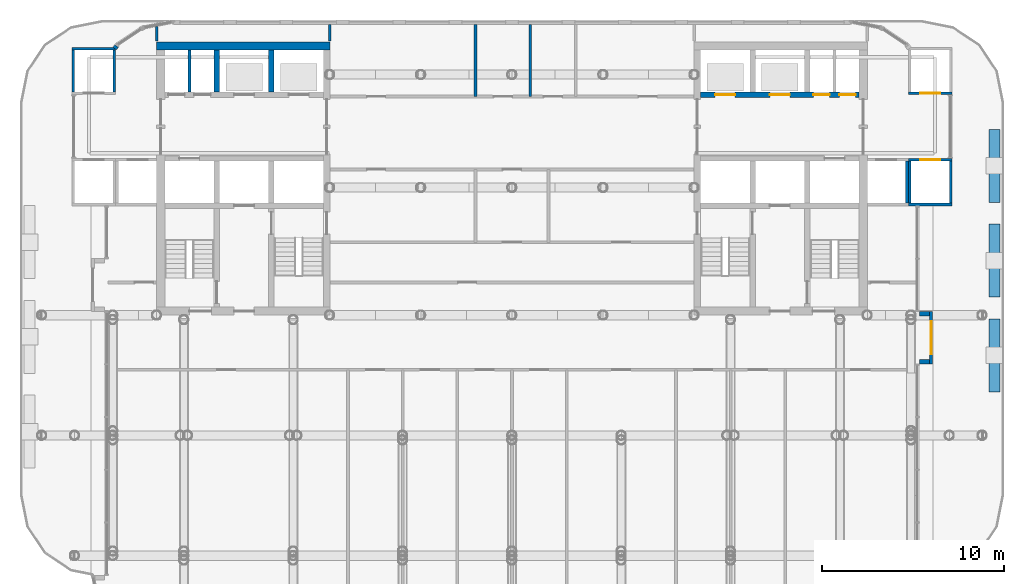
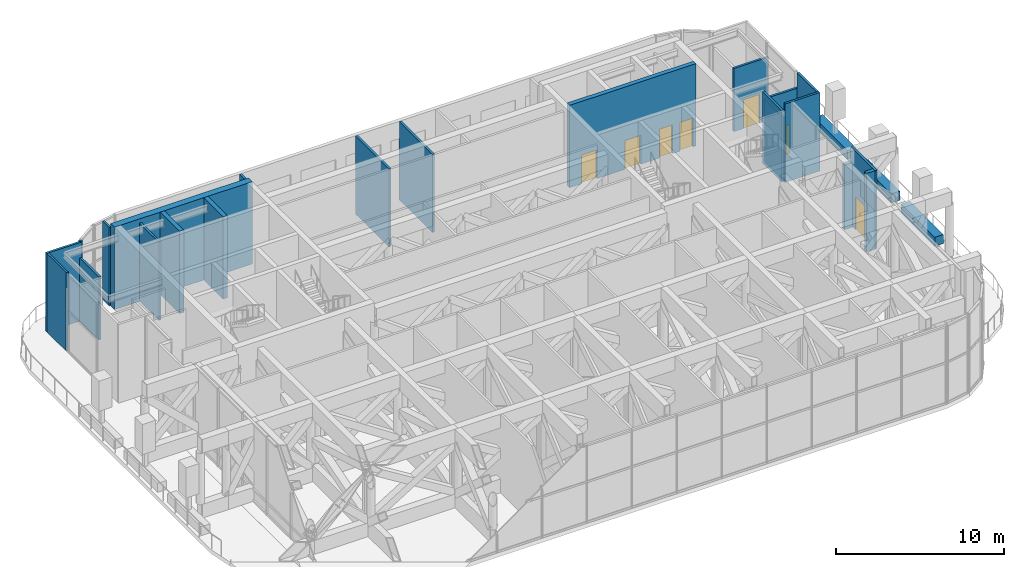
# One storey, part 15 of 21: 25 walls, 7 doors, 7 openings.
"""IFC4 building model written with IfcOpenShell, lengths in metres."""

from ifc_helpers import new_model, si_unit, direction, frame, frame_2d, origin, place, context, subcontext, project, spatial, rectangle, extrude, material, layer, layer_set, type_object, element, fill, save


model = new_model("IFC4")

# Units and contexts
model_context = context("Model", 3, precision=1e-05, world=origin(), true_north=direction((0.0, 1.0)))
body_context = subcontext(model_context, "Body", "Model", "MODEL_VIEW")
ifc_project = project(units=[si_unit("LENGTHUNIT", "METRE"), si_unit("AREAUNIT", "SQUARE_METRE"), si_unit("VOLUMEUNIT", "CUBIC_METRE"), si_unit("PLANEANGLEUNIT", "RADIAN"), si_unit("MASSUNIT", "GRAM", prefix="KILO")], contexts=[model_context])

# Site, building, storey
site_placement = place(None, origin())
site = spatial("IfcSite", under=ifc_project, at=site_placement, CompositionType="ELEMENT")
building_placement = place(site_placement, origin())
building = spatial("IfcBuilding", under=site, at=building_placement, Name="Torana Hotel and Residences", CompositionType="ELEMENT")
storey_placement = place(building_placement, frame((0.0, 0.0, 246.60009765625)))
storey = spatial("IfcBuildingStorey", under=building, at=storey_placement, Name="L65", CompositionType="ELEMENT", Elevation=246.60009765625)

# Walls
ifc_material_1 = material(Name="Concrete C60/75", Category="concrete")
ifc_layer_1 = layer(ifc_material_1, 0.300048828125)
ifc_layer_set_1 = layer_set([ifc_layer_1], Name="CORE WALL 300 C60/75")
wall_type_1 = type_object("IfcWallType", Name="CORE WALL 300 C60/75", PredefinedType="SHEAR", material=ifc_layer_set_1)
for number, where, z_axis, x_axis, name in (
    (1, (-13.199951171875, -2.75, 0.0), (0.0, 0.0, 1.0), (0.0, 1.0, 0.0), "Core wall W x3.05-N"),
    (2, (-16.199951171875, -2.75, 0.0), (0.0, 0.0, 1.0), (0.0, 1.0, 0.0), "Core wall W x6.05-N"),
):
    element("IfcWall", number, at=place(storey_placement, frame(where, z_axis=z_axis, x_axis=x_axis)), inside=storey, type_object=wall_type_1, Name=name, PredefinedType="SHEAR", context=body_context, shape_type="SweptSolid", body=[
        extrude(rectangle(XDim=2.300048828125, YDim=0.300048828125, at=frame_2d((1.14990234375, 0.0))), origin(), (0.0, 0.0, 1.0), 6.0),
    ])

# Wall, openings, doors
wall_1_placement = place(storey_placement, frame((10.35009765625, -2.89990234375, 0.0), z_axis=(0.0, 0.0, 1.0), x_axis=(1.0, 0.0, 0.0)))
wall_1 = element("IfcWall", 3, at=wall_1_placement, inside=storey, type_object=wall_type_1, Name="Core wall E row-N", PredefinedType="SHEAR", context=body_context, shape_type="SweptSolid", body=[
    extrude(rectangle(XDim=8.699951171875, YDim=0.300048828125, at=frame_2d((4.35009765625, 0.0))), origin(), (0.0, 0.0, 1.0), 6.0),
])
opening_1_placement = place(wall_1_placement, frame((0.800048828125, 0.0, 0.0)))
opening_1 = element("IfcOpeningElement", 4, at=opening_1_placement, cuts=wall_1, Name="Opening LD", PredefinedType="OPENING", context=body_context, shape_type="SweptSolid", body=[
    extrude(rectangle(XDim=1.10009765625, YDim=2.10009765625, at=frame_2d((0.550048828125, 1.050048828125))), frame((0.0, 0.159912109375, 0.0), z_axis=(0.0, -1.0, 0.0), x_axis=(1.0, 0.0, 0.0)), (0.0, 0.0, 1.0), 0.320068359375),
])
opening_2_placement = place(wall_1_placement, frame((3.800048828125, 0.0, 0.0)))
opening_2 = element("IfcOpeningElement", 5, at=opening_2_placement, cuts=wall_1, Name="Opening LD", PredefinedType="OPENING", context=body_context, shape_type="SweptSolid", body=[
    extrude(rectangle(XDim=1.10009765625, YDim=2.10009765625, at=frame_2d((0.550048828125, 1.050048828125))), frame((0.0, 0.159912109375, 0.0), z_axis=(0.0, -1.0, 0.0), x_axis=(1.0, 0.0, 0.0)), (0.0, 0.0, 1.0), 0.320068359375),
])
opening_3_placement = place(wall_1_placement, frame((6.1875, 0.0, 0.0)))
opening_3 = element("IfcOpeningElement", 6, at=opening_3_placement, cuts=wall_1, Name="Opening L65-19", PredefinedType="OPENING", context=body_context, shape_type="SweptSolid", body=[
    extrude(rectangle(XDim=0.89990234375, YDim=2.10009765625, at=frame_2d((0.449951171875, 1.050048828125))), frame((0.0, 0.159912109375, 0.0), z_axis=(0.0, -1.0, 0.0), x_axis=(1.0, 0.0, 0.0)), (0.0, 0.0, 1.0), 0.320068359375),
])
opening_4_placement = place(wall_1_placement, frame((7.612548828125, 0.0, 0.0)))
opening_4 = element("IfcOpeningElement", 7, at=opening_4_placement, cuts=wall_1, Name="Opening L65-20", PredefinedType="OPENING", context=body_context, shape_type="SweptSolid", body=[
    extrude(rectangle(XDim=0.89990234375, YDim=2.10009765625, at=frame_2d((0.449951171875, 1.050048828125))), frame((0.0, 0.159912109375, 0.0), z_axis=(0.0, -1.0, 0.0), x_axis=(1.0, 0.0, 0.0)), (0.0, 0.0, 1.0), 0.320068359375),
])
ifc_material_2 = material(Name="Stainless steel 316", Category="steel")
door_type_1 = type_object("IfcDoorType", Name="LIFT LANDING DOOR LD 1100x2100", OperationType="DOUBLE_DOOR_SLIDING", PredefinedType="USERDEFINED", material=ifc_material_2)
door_1_placement = place(opening_1_placement, origin())
door_1 = element("IfcDoor", 8, at=door_1_placement, inside=storey, type_object=door_type_1, Name="Lift landing door H3 L65", ObjectType="LIFT LANDING DOOR", OperationType="DOUBLE_DOOR_SLIDING", OverallHeight=2.10009765625, OverallWidth=1.10009765625, PredefinedType="USERDEFINED", context=body_context, shape_type="SweptSolid", body=[
    extrude(rectangle(XDim=1.10009765625, YDim=2.10009765625, at=frame_2d((0.550048828125, 1.050048828125))), frame((0.0, 0.02490234375, 0.0), z_axis=(0.0, -1.0, 0.0), x_axis=(1.0, 0.0, 0.0)), (0.0, 0.0, 1.0), 0.050048828125),
])
fill(opening_1, door_1)
door_2_placement = place(opening_2_placement, origin())
door_2 = element("IfcDoor", 9, at=door_2_placement, inside=storey, type_object=door_type_1, Name="Lift landing door H4 L65", ObjectType="LIFT LANDING DOOR", OperationType="DOUBLE_DOOR_SLIDING", OverallHeight=2.10009765625, OverallWidth=1.10009765625, PredefinedType="USERDEFINED", context=body_context, shape_type="SweptSolid", body=[
    extrude(rectangle(XDim=1.10009765625, YDim=2.10009765625, at=frame_2d((0.550048828125, 1.050048828125))), frame((0.0, 0.02490234375, 0.0), z_axis=(0.0, -1.0, 0.0), x_axis=(1.0, 0.0, 0.0)), (0.0, 0.0, 1.0), 0.050048828125),
])
fill(opening_2, door_2)
ifc_material_3 = material(Name="Steel S235", Category="steel")
door_type_2 = type_object("IfcDoorType", Name="RISER ACCESS DOOR D5 900x2100", OperationType="SINGLE_SWING_LEFT", PredefinedType="DOOR", material=ifc_material_3)
door_3_placement = place(opening_3_placement, origin())
door_3 = element("IfcDoor", 10, at=door_3_placement, inside=storey, type_object=door_type_2, Name="N2A door L65", OperationType="SINGLE_SWING_RIGHT", OverallHeight=2.10009765625, OverallWidth=0.89990234375, PredefinedType="DOOR", context=body_context, shape_type="SweptSolid", body=[
    extrude(rectangle(XDim=0.89990234375, YDim=2.10009765625, at=frame_2d((0.449951171875, 1.050048828125))), frame((0.0, 0.02490234375, 0.0), z_axis=(0.0, -1.0, 0.0), x_axis=(1.0, 0.0, 0.0)), (0.0, 0.0, 1.0), 0.050048828125),
])
fill(opening_3, door_3)
door_4_placement = place(opening_4_placement, origin())
door_4 = element("IfcDoor", 11, at=door_4_placement, inside=storey, type_object=door_type_2, Name="N2B door L65", OperationType="SINGLE_SWING_RIGHT", OverallHeight=2.10009765625, OverallWidth=0.89990234375, PredefinedType="DOOR", context=body_context, shape_type="SweptSolid", body=[
    extrude(rectangle(XDim=0.89990234375, YDim=2.10009765625, at=frame_2d((0.449951171875, 1.050048828125))), frame((0.0, 0.02490234375, 0.0), z_axis=(0.0, -1.0, 0.0), x_axis=(1.0, 0.0, 0.0)), (0.0, 0.0, 1.0), 0.050048828125),
])
fill(opening_4, door_4)

# Walls
ifc_material_4 = material(Name="Concrete C60/75", Category="concrete")
ifc_layer_2 = layer(ifc_material_4, 0.449951171875)
ifc_layer_set_2 = layer_set([ifc_layer_2], Name="CORE WALL 450 C60/75")
wall_type_2 = type_object("IfcWallType", Name="CORE WALL 450 C60/75", PredefinedType="SHEAR", material=ifc_layer_set_2)
wall_2_placement = place(storey_placement, frame((-19.5, -0.22509765625, 0.0), z_axis=(0.0, 0.0, 1.0), x_axis=(1.0, 0.0, 0.0)))
element("IfcWall", 12, at=wall_2_placement, inside=storey, type_object=wall_type_2, Name="Core wall W rear", PredefinedType="SHEAR", context=body_context, shape_type="SweptSolid", body=[
    extrude(rectangle(XDim=9.5, YDim=0.449951171875, at=frame_2d((4.75, 0.0))), origin(), (0.0, 0.0, 1.0), 6.0),
])
ifc_material_5 = material(Name="Black aluminium composite panel", Category="aluminium")
ifc_layer_3 = layer(ifc_material_5, 0.00390625, Name="Cladding", Category="cladding")
ifc_material_6 = material(Name="Ventilated air cavity")
ifc_layer_4 = layer(ifc_material_6, 0.0400390625, Name="Ventilated cavity", Category="cavity")
ifc_material_7 = material(Name="Mineral wool insulation")
ifc_layer_5 = layer(ifc_material_7, 0.090087890625, Name="Insulation", Category="insulation")
ifc_material_8 = material(Name="Steel S280GD", Category="steel")
ifc_layer_6 = layer(ifc_material_8, 0.092041015625, Name="Steel stud frame", Category="structure")
ifc_material_9 = material(Name="Fire rated plasterboard")
ifc_layer_7 = layer(ifc_material_9, 0.011962890625, Name="Inner board", Category="finish")
ifc_layer_8 = layer(ifc_material_9, 0.011962890625, Name="Second board", Category="finish")
ifc_layer_set_3 = layer_set([ifc_layer_3, ifc_layer_4, ifc_layer_5, ifc_layer_6, ifc_layer_7, ifc_layer_8], Name="EW1 EXTERNAL WALL BLACK METAL CLAD 250")
wall_type_3 = type_object("IfcWallType", Name="EW1 EXTERNAL WALL BLACK METAL CLAD 250", PredefinedType="SOLIDWALL", material=ifc_layer_set_3)
wall_3_placement = place(storey_placement, frame((22.35498046875, -17.564453125, 0.0), z_axis=(0.0, 0.0, 1.0), x_axis=(1.0, 0.0, 0.0)))
element("IfcWall", 13, at=wall_3_placement, inside=storey, type_object=wall_type_3, Name="External wall L65 e0.14.4 bay return 1", PredefinedType="SOLIDWALL", context=body_context, shape_type="SweptSolid", body=[
    extrude(rectangle(XDim=0.570068359375, YDim=0.25, at=frame_2d((0.28515625, 0.0))), origin(), (0.0, 0.0, 1.0), 5.719970703125),
])
wall_4_placement = place(storey_placement, frame((22.35498046875, -14.91796875, 0.0), z_axis=(0.0, 0.0, 1.0), x_axis=(1.0, 0.0, 0.0)))
element("IfcWall", 14, at=wall_4_placement, inside=storey, type_object=wall_type_3, Name="External wall L65 e0.14.4 bay return 2", PredefinedType="SOLIDWALL", context=body_context, shape_type="SweptSolid", body=[
    extrude(rectangle(XDim=0.570068359375, YDim=0.25, at=frame_2d((0.28515625, 0.0))), origin(), (0.0, 0.0, 1.0), 4.719970703125),
])
ifc_material_10 = material(Name="Aluminium louvre wall", Category="aluminium")
ifc_layer_9 = layer(ifc_material_10, 0.25)
ifc_layer_set_4 = layer_set([ifc_layer_9], Name="EW3 LOUVRE WALL 250")
wall_type_4 = type_object("IfcWallType", Name="EW3 LOUVRE WALL 250", PredefinedType="SOLIDWALL", material=ifc_layer_set_4)
wall_5_placement = place(storey_placement, frame((-21.705810546875, -0.228759765625, 0.0), z_axis=(0.0, 0.0, 1.0), x_axis=(-0.555699055242, -0.831383521609, 0.0)))
element("IfcWall", 15, at=wall_5_placement, inside=storey, type_object=wall_type_4, Name="Louvre wall L65 e0.0", PredefinedType="SOLIDWALL", context=body_context, shape_type="SweptSolid", body=[
    extrude(rectangle(XDim=0.169189453125, YDim=0.25, at=frame_2d((0.08447265625, 0.0))), origin(), (0.0, 0.0, 1.0), 5.719970703125),
])
ifc_material_11 = material(Name="Gypsum plaster")
ifc_layer_10 = layer(ifc_material_11, 0.014892578125, Name="Plaster", Category="finish")
ifc_material_12 = material(Name="Concrete blockwork", Category="masonry")
ifc_layer_11 = layer(ifc_material_12, 0.1201171875, Name="Blockwork", Category="structure")
ifc_layer_12 = layer(ifc_material_11, 0.014892578125, Name="Plaster", Category="finish")
ifc_layer_set_5 = layer_set([ifc_layer_10, ifc_layer_11, ifc_layer_12], Name="FIRE PARTITION 150 BLOCKWORK")
wall_type_5 = type_object("IfcWallType", Name="FIRE PARTITION 150 BLOCKWORK", PredefinedType="PARTITIONING", material=ifc_layer_set_5)
wall_6_placement = place(storey_placement, frame((-17.699951171875, -2.75, 0.0), z_axis=(0.0, 0.0, 1.0), x_axis=(0.0, 1.0, 0.0)))
element("IfcWall", 16, at=wall_6_placement, inside=storey, type_object=wall_type_5, Name="Core partition L65", PredefinedType="PARTITIONING", context=body_context, shape_type="SweptSolid", body=[
    extrude(rectangle(XDim=2.300048828125, YDim=0.14990234375, at=frame_2d((1.14990234375, 0.0))), origin(), (0.0, 0.0, 1.0), 5.699951171875),
])
wall_7_placement = place(storey_placement, frame((-19.5, 0.050048828125, 0.0), z_axis=(0.0, 0.0, 1.0), x_axis=(0.0, 1.0, 0.0)))
element("IfcWall", 17, at=wall_7_placement, inside=storey, type_object=wall_type_5, Name="Partition L65", PredefinedType="PARTITIONING", context=body_context, shape_type="SweptSolid", body=[
    extrude(rectangle(XDim=0.787353515625, YDim=0.14990234375, at=frame_2d((0.3935546875, 0.0))), origin(), (0.0, 0.0, 1.0), 5.699951171875),
])

# Wall, opening, door
ifc_material_13 = material(Name="Dark glass screen in aluminium frame", Category="aluminium")
ifc_layer_13 = layer(ifc_material_13, 0.14990234375)
ifc_layer_set_6 = layer_set([ifc_layer_13], Name="GS1 GLAZED DOOR SCREEN 150")
wall_type_6 = type_object("IfcWallType", Name="GS1 GLAZED DOOR SCREEN 150", PredefinedType="USERDEFINED", material=ifc_layer_set_6)
wall_8_placement = place(storey_placement, frame((23.0, -17.689453125, 0.0), z_axis=(0.0, 0.0, 1.0), x_axis=(0.0, 1.0, 0.0)))
wall_8 = element("IfcWall", 18, at=wall_8_placement, inside=storey, type_object=wall_type_6, Name="Glazed door screen L65", ObjectType="GLAZED SCREEN", PredefinedType="USERDEFINED", context=body_context, shape_type="SweptSolid", body=[
    extrude(rectangle(XDim=2.896484375, YDim=0.14990234375, at=frame_2d((1.4482421875, 0.0))), origin(), (0.0, 0.0, 1.0), 5.719970703125),
])
opening_5_placement = place(wall_8_placement, frame((0.548095703125, 0.0, 0.0)))
opening_5 = element("IfcOpeningElement", 19, at=opening_5_placement, cuts=wall_8, Name="Opening L65-E02", PredefinedType="OPENING", context=body_context, shape_type="SweptSolid", body=[
    extrude(rectangle(XDim=1.800048828125, YDim=2.39990234375, at=frame_2d((0.89990234375, 1.199951171875))), frame((0.0, 0.0849609375, 0.0), z_axis=(0.0, -1.0, 0.0), x_axis=(1.0, 0.0, 0.0)), (0.0, 0.0, 1.0), 0.169921875),
])
ifc_material_14 = material(Name="Dark glass in black aluminium frame", Category="aluminium")
door_type_3 = type_object("IfcDoorType", Name="DE2 TERRACE DOOR 1800x2400", OperationType="DOUBLE_DOOR_SINGLE_SWING", PredefinedType="DOOR", material=ifc_material_14)
door_5_placement = place(opening_5_placement, origin())
door_5 = element("IfcDoor", 20, at=door_5_placement, inside=storey, type_object=door_type_3, Name="Terrace door L65", OperationType="DOUBLE_DOOR_SINGLE_SWING", OverallHeight=2.39990234375, OverallWidth=1.800048828125, PredefinedType="DOOR", context=body_context, shape_type="SweptSolid", body=[
    extrude(rectangle(XDim=1.800048828125, YDim=2.39990234375, at=frame_2d((0.89990234375, 1.199951171875))), frame((0.0, 0.02490234375, 0.0), z_axis=(0.0, -1.0, 0.0), x_axis=(1.0, 0.0, 0.0)), (0.0, 0.0, 1.0), 0.050048828125),
])
fill(opening_5, door_5)

# Walls
ifc_material_15 = material(Name="Concrete C40/50", Category="concrete")
ifc_layer_14 = layer(ifc_material_15, 0.14990234375)
ifc_layer_set_7 = layer_set([ifc_layer_14], Name="LIFT SHAFT WALL 150")
wall_type_7 = type_object("IfcWallType", Name="LIFT SHAFT WALL 150", PredefinedType="PARTITIONING", material=ifc_layer_set_7)
wall_9_placement = place(storey_placement, frame((-24.14990234375, -0.375, 0.0), z_axis=(0.0, 0.0, 1.0), x_axis=(1.0, 0.0, 0.0)))
element("IfcWall", 21, at=wall_9_placement, inside=storey, type_object=wall_type_7, Name="Lift shaft wall M1 L65", PredefinedType="PARTITIONING", context=body_context, shape_type="SweptSolid", body=[
    extrude(rectangle(XDim=2.39990234375, YDim=0.14990234375, at=frame_2d((1.199951171875, 0.0))), origin(), (0.0, 0.0, 1.0), 5.719970703125),
])
wall_10_placement = place(storey_placement, frame((-24.074951171875, -2.75, 0.0), z_axis=(0.0, 0.0, 1.0), x_axis=(0.0, 1.0, 0.0)))
element("IfcWall", 22, at=wall_10_placement, inside=storey, type_object=wall_type_7, Name="Lift shaft wall M1 L65", PredefinedType="PARTITIONING", context=body_context, shape_type="SweptSolid", body=[
    extrude(rectangle(XDim=2.300048828125, YDim=0.14990234375, at=frame_2d((1.14990234375, 0.0))), origin(), (0.0, 0.0, 1.0), 5.719970703125),
])
wall_11_placement = place(storey_placement, frame((-21.824951171875, -2.75, 0.0), z_axis=(0.0, 0.0, 1.0), x_axis=(0.0, 1.0, 0.0)))
element("IfcWall", 23, at=wall_11_placement, inside=storey, type_object=wall_type_7, Name="Lift shaft wall M1 L65", PredefinedType="PARTITIONING", context=body_context, shape_type="SweptSolid", body=[
    extrude(rectangle(XDim=2.300048828125, YDim=0.14990234375, at=frame_2d((1.14990234375, 0.0))), origin(), (0.0, 0.0, 1.0), 4.599853515625),
])
wall_12_placement = place(storey_placement, frame((21.675048828125, -8.85009765625, 0.0), z_axis=(0.0, 0.0, 1.0), x_axis=(0.0, 1.0, 0.0)))
element("IfcWall", 24, at=wall_12_placement, inside=storey, type_object=wall_type_7, Name="Lift shaft wall S4 L65", PredefinedType="PARTITIONING", context=body_context, shape_type="SweptSolid", body=[
    extrude(rectangle(XDim=2.300048828125, YDim=0.14990234375, at=frame_2d((1.14990234375, 0.0))), origin(), (0.0, 0.0, 1.0), 5.199951171875),
])

# Wall, opening, door
wall_13_placement = place(storey_placement, frame((21.75, -2.824951171875, 0.0), z_axis=(0.0, 0.0, 1.0), x_axis=(1.0, 0.0, 0.0)))
wall_13 = element("IfcWall", 25, at=wall_13_placement, inside=storey, type_object=wall_type_7, Name="Lift shaft wall M3 L65", PredefinedType="PARTITIONING", context=body_context, shape_type="SweptSolid", body=[
    extrude(rectangle(XDim=2.39990234375, YDim=0.14990234375, at=frame_2d((1.199951171875, 0.0))), origin(), (0.0, 0.0, 1.0), 4.599853515625),
])
opening_6_placement = place(wall_13_placement, frame((0.64990234375, 0.0, 0.0)))
opening_6 = element("IfcOpeningElement", 26, at=opening_6_placement, cuts=wall_13, Name="Opening LD", PredefinedType="OPENING", context=body_context, shape_type="SweptSolid", body=[
    extrude(rectangle(XDim=1.10009765625, YDim=2.10009765625, at=frame_2d((0.550048828125, 1.050048828125))), frame((0.0, 0.0849609375, 0.0), z_axis=(0.0, -1.0, 0.0), x_axis=(1.0, 0.0, 0.0)), (0.0, 0.0, 1.0), 0.169921875),
])
door_6_placement = place(opening_6_placement, origin())
door_6 = element("IfcDoor", 27, at=door_6_placement, inside=storey, type_object=door_type_1, Name="Lift landing door M3 L65", ObjectType="LIFT LANDING DOOR", OperationType="DOUBLE_DOOR_SLIDING", OverallHeight=2.10009765625, OverallWidth=1.10009765625, PredefinedType="USERDEFINED", context=body_context, shape_type="SweptSolid", body=[
    extrude(rectangle(XDim=1.10009765625, YDim=2.10009765625, at=frame_2d((0.550048828125, 1.050048828125))), frame((0.0, 0.02490234375, 0.0), z_axis=(0.0, -1.0, 0.0), x_axis=(1.0, 0.0, 0.0)), (0.0, 0.0, 1.0), 0.050048828125),
])
fill(opening_6, door_6)

# Wall
wall_14_placement = place(storey_placement, frame((21.75, -8.925048828125, 0.0), z_axis=(0.0, 0.0, 1.0), x_axis=(1.0, 0.0, 0.0)))
element("IfcWall", 28, at=wall_14_placement, inside=storey, type_object=wall_type_7, Name="Lift shaft wall M4 L65", PredefinedType="PARTITIONING", context=body_context, shape_type="SweptSolid", body=[
    extrude(rectangle(XDim=2.39990234375, YDim=0.14990234375, at=frame_2d((1.199951171875, 0.0))), origin(), (0.0, 0.0, 1.0), 5.719970703125),
])

# Wall, opening, door
wall_15_placement = place(storey_placement, frame((21.75, -6.47509765625, 0.0), z_axis=(0.0, 0.0, 1.0), x_axis=(1.0, 0.0, 0.0)))
wall_15 = element("IfcWall", 29, at=wall_15_placement, inside=storey, type_object=wall_type_7, Name="Lift shaft wall M4 L65", PredefinedType="PARTITIONING", context=body_context, shape_type="SweptSolid", body=[
    extrude(rectangle(XDim=2.39990234375, YDim=0.14990234375, at=frame_2d((1.199951171875, 0.0))), origin(), (0.0, 0.0, 1.0), 4.599853515625),
])
opening_7_placement = place(wall_15_placement, frame((0.64990234375, 0.0, 0.0)))
opening_7 = element("IfcOpeningElement", 30, at=opening_7_placement, cuts=wall_15, Name="Opening LD", PredefinedType="OPENING", context=body_context, shape_type="SweptSolid", body=[
    extrude(rectangle(XDim=1.10009765625, YDim=2.10009765625, at=frame_2d((0.550048828125, 1.050048828125))), frame((0.0, 0.0849609375, 0.0), z_axis=(0.0, -1.0, 0.0), x_axis=(1.0, 0.0, 0.0)), (0.0, 0.0, 1.0), 0.169921875),
])
door_7_placement = place(opening_7_placement, origin())
door_7 = element("IfcDoor", 31, at=door_7_placement, inside=storey, type_object=door_type_1, Name="Lift landing door M4 L65", ObjectType="LIFT LANDING DOOR", OperationType="DOUBLE_DOOR_SLIDING", OverallHeight=2.10009765625, OverallWidth=1.10009765625, PredefinedType="USERDEFINED", context=body_context, shape_type="SweptSolid", body=[
    extrude(rectangle(XDim=1.10009765625, YDim=2.10009765625, at=frame_2d((0.550048828125, 1.050048828125))), frame((0.0, 0.02490234375, 0.0), z_axis=(0.0, -1.0, 0.0), x_axis=(1.0, 0.0, 0.0)), (0.0, 0.0, 1.0), 0.050048828125),
])
fill(opening_7, door_7)

# Walls
wall_16_placement = place(storey_placement, frame((21.824951171875, -8.85009765625, 0.0), z_axis=(0.0, 0.0, 1.0), x_axis=(0.0, 1.0, 0.0)))
element("IfcWall", 32, at=wall_16_placement, inside=storey, type_object=wall_type_7, Name="Lift shaft wall M4 L65", PredefinedType="PARTITIONING", context=body_context, shape_type="SweptSolid", body=[
    extrude(rectangle(XDim=2.300048828125, YDim=0.14990234375, at=frame_2d((1.14990234375, 0.0))), origin(), (0.0, 0.0, 1.0), 4.599853515625),
])
wall_17_placement = place(storey_placement, frame((24.074951171875, -8.85009765625, 0.0), z_axis=(0.0, 0.0, 1.0), x_axis=(0.0, 1.0, 0.0)))
element("IfcWall", 33, at=wall_17_placement, inside=storey, type_object=wall_type_7, Name="Lift shaft wall M4 L65", PredefinedType="PARTITIONING", context=body_context, shape_type="SweptSolid", body=[
    extrude(rectangle(XDim=2.300048828125, YDim=0.14990234375, at=frame_2d((1.14990234375, 0.0))), origin(), (0.0, 0.0, 1.0), 5.719970703125),
])
ifc_material_16 = material(Name="Gypsum plasterboard")
ifc_layer_15 = layer(ifc_material_16, 0.012451171875, Name="Plasterboard", Category="finish")
ifc_layer_16 = layer(ifc_material_16, 0.012451171875, Name="Plasterboard", Category="finish")
ifc_layer_17 = layer(ifc_material_8, 0.10009765625, Name="Steel studs with mineral wool", Category="insulation")
ifc_layer_18 = layer(ifc_material_16, 0.012451171875, Name="Plasterboard", Category="finish")
ifc_layer_19 = layer(ifc_material_16, 0.012451171875, Name="Plasterboard", Category="finish")
ifc_layer_set_8 = layer_set([ifc_layer_15, ifc_layer_16, ifc_layer_17, ifc_layer_18, ifc_layer_19], Name="PARTITION 150 PLASTERBOARD")
wall_type_8 = type_object("IfcWallType", Name="PARTITION 150 PLASTERBOARD", PredefinedType="PARTITIONING", material=ifc_layer_set_8)
wall_18_placement = place(storey_placement, frame((-10.0, 0.050048828125, 0.0), z_axis=(0.0, 0.0, 1.0), x_axis=(0.0, 1.0, 0.0)))
element("IfcWall", 34, at=wall_18_placement, inside=storey, type_object=wall_type_8, Name="Partition L65", PredefinedType="PARTITIONING", context=body_context, shape_type="SweptSolid", body=[
    extrude(rectangle(XDim=0.909912109375, YDim=0.14990234375, at=frame_2d((0.455078125, 0.0))), origin(), (0.0, 0.0, 1.0), 5.699951171875),
])
ifc_material_17 = material(Name="Concrete C40/50 precast", Category="concrete")
ifc_layer_20 = layer(ifc_material_17, 0.10009765625, Name="Planter shell", Category="structure")
ifc_material_18 = material(Name="Root resistant membrane")
ifc_layer_21 = layer(ifc_material_18, 0.00390625, Name="Waterproofing membrane", Category="membrane")
ifc_material_19 = material(Name="Drainage board with filter fleece")
ifc_layer_22 = layer(ifc_material_19, 0.02001953125, Name="Drainage board", Category="drainage")
ifc_material_20 = material(Name="Growing medium")
ifc_layer_23 = layer(ifc_material_20, 0.47607421875, Name="Planting substrate", Category="soil")
ifc_layer_set_9 = layer_set([ifc_layer_20, ifc_layer_21, ifc_layer_22, ifc_layer_23], Name="PL1 BALCONY PLANTER 600")
wall_type_9 = type_object("IfcWallType", Name="PL1 BALCONY PLANTER 600", PredefinedType="USERDEFINED", material=ifc_layer_set_9)
for number, where, z_axis, x_axis, name in (
    (35, (26.469970703125, -4.807861328125, 0.0), (0.0, 0.0, 1.0), (0.0, -1.0, 0.0), "Planter L65 1.1"),
    (36, (26.469970703125, -10.0078125, 0.0), (0.0, 0.0, 1.0), (0.0, -1.0, 0.0), "Planter L65 1.2"),
    (37, (26.469970703125, -15.2080078125, 0.0), (0.0, 0.0, 1.0), (0.0, -1.0, 0.0), "Planter L65 1.3"),
):
    element("IfcWall", number, at=place(storey_placement, frame(where, z_axis=z_axis, x_axis=x_axis)), inside=storey, type_object=wall_type_9, Name=name, ObjectType="PLANTER", PredefinedType="USERDEFINED", context=body_context, shape_type="SweptSolid", body=[
        extrude(rectangle(XDim=4.0, YDim=0.60009765625, at=frame_2d((2.0, 0.0))), origin(), (0.0, 0.0, 1.0), 0.64990234375),
    ])
ifc_material_21 = material(Name="Ceramic tile on adhesive")
ifc_layer_24 = layer(ifc_material_21, 0.010009765625, Name="Wall tile", Category="finish")
ifc_material_22 = material(Name="Cement render")
ifc_layer_25 = layer(ifc_material_22, 0.010009765625, Name="Render", Category="finish")
ifc_layer_26 = layer(ifc_material_12, 0.110107421875, Name="Blockwork", Category="structure")
ifc_layer_27 = layer(ifc_material_22, 0.010009765625, Name="Render", Category="finish")
ifc_layer_28 = layer(ifc_material_21, 0.010009765625, Name="Wall tile", Category="finish")
ifc_layer_set_10 = layer_set([ifc_layer_24, ifc_layer_25, ifc_layer_26, ifc_layer_27, ifc_layer_28], Name="WC PARTITION 150")
wall_type_10 = type_object("IfcWallType", Name="WC PARTITION 150", PredefinedType="PLUMBINGWALL", material=ifc_layer_set_10)
for number, where, z_axis, x_axis, name in (
    (38, (1.0, -3.0, 0.0), (0.0, 0.0, 1.0), (0.0, 1.0, 0.0), "Partition L65"),
    (39, (-2.0, -3.0, 0.0), (0.0, 0.0, 1.0), (0.0, 1.0, 0.0), "Partition L65"),
):
    element("IfcWall", number, at=place(storey_placement, frame(where, z_axis=z_axis, x_axis=x_axis)), inside=storey, type_object=wall_type_10, Name=name, PredefinedType="PLUMBINGWALL", context=body_context, shape_type="SweptSolid", body=[
        extrude(rectangle(XDim=3.9599609375, YDim=0.14990234375, at=frame_2d((1.97998046875, 0.0))), origin(), (0.0, 0.0, 1.0), 5.699951171875),
    ])

save(model, "model.ifc")
